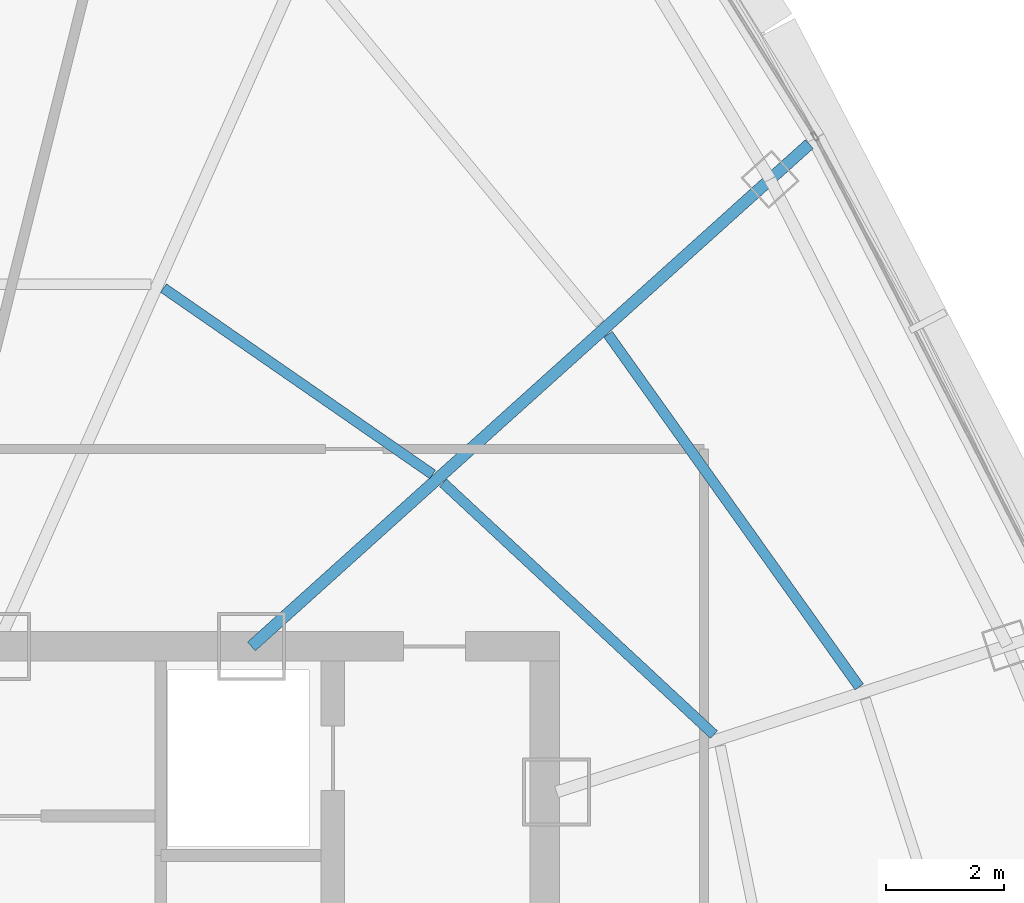
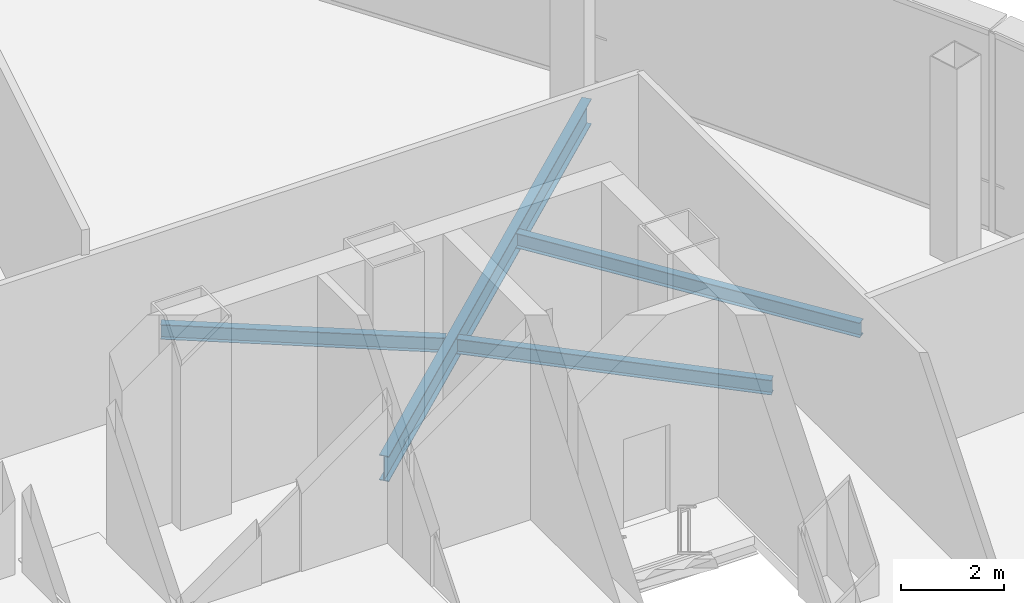
# One storey, part 15 of 29: 4 beams.
"""IFC4 building model written with IfcOpenShell, lengths in metres."""

import ifcopenshell
import ifcopenshell.guid

model = None  # the IFC model being written
_history = None  # IfcOwnerHistory: only IFC2X3 demands one
_inside = {}  # id of a spatial element -> (the spatial element, [elements in it])
_under = {}  # id of a project, library or spatial element -> (it, [spatial elements below it])
_declared = {}  # id of a project -> (the project, [libraries it declares])
_typed = {}  # id of a type object -> (the type object, [elements of that type])
_made_of = {}  # id of a material, layer set ... -> (it, [elements and type objects made of it])


def new_model(schema):
    """Start an empty IFC model of exactly this schema.

    Asked for "IFC4X3", IfcOpenShell would pick the latest addendum, in which some entities
    have other attributes; the version numbers below select the first issue.
    IFC2X3 requires an IfcOwnerHistory on every rooted entity: one is made here for all.
    """
    global model, _history
    if schema == "IFC4X3":
        model = ifcopenshell.file(schema_version=(4, 3, 0, 0))
    else:
        model = ifcopenshell.file(schema=schema)
    _inside.clear()
    _under.clear()
    _declared.clear()
    _typed.clear()
    _made_of.clear()
    _history = None
    if model.schema == "IFC2X3":
        org = make("IfcOrganization", Name="unknown")
        user = make(
            "IfcPersonAndOrganization",
            ThePerson=make("IfcPerson", FamilyName="unknown"),
            TheOrganization=org,
        )
        app = make(
            "IfcApplication",
            ApplicationDeveloper=org,
            Version="unknown",
            ApplicationFullName="unknown",
            ApplicationIdentifier="unknown",
        )
        _history = make(
            "IfcOwnerHistory",
            OwningUser=user,
            OwningApplication=app,
            ChangeAction="ADDED",
            CreationDate=0,
        )
    return model


def make(cls, **values):
    """One entity of the class cls with the attributes given. An attribute that is None is left unset."""
    return model.create_entity(
        cls, **{name: value for name, value in values.items() if value is not None}
    )


def rooted(cls, **values):
    """An entity with a GlobalId (a new one), such as an element, a storey or a relation."""
    return make(cls, GlobalId=ifcopenshell.guid.new(), OwnerHistory=_history, **values)


def si_unit(unit_type, name, prefix=None):
    """IfcSIUnit, for example si_unit("LENGTHUNIT", "METRE", prefix="MILLI")."""
    return make("IfcSIUnit", UnitType=unit_type, Prefix=prefix, Name=name)


def assignment(units):
    """IfcUnitAssignment: the units of a project."""
    return None if units is None else make("IfcUnitAssignment", Units=units)


def point(xyz):
    """IfcCartesianPoint."""
    return None if xyz is None else make("IfcCartesianPoint", Coordinates=xyz)


def direction(xyz):
    """IfcDirection."""
    return None if xyz is None else make("IfcDirection", DirectionRatios=xyz)


def frame(location, z_axis=None, x_axis=None):
    """IfcAxis2Placement3D, a coordinate frame: its origin and axes. An axis left out is left unset."""
    return make(
        "IfcAxis2Placement3D",
        Location=point(location),
        Axis=direction(z_axis),
        RefDirection=direction(x_axis),
    )


def frame_2d(location, x_axis=None):
    """IfcAxis2Placement2D, a coordinate frame in the plane: its origin and x axis."""
    return make(
        "IfcAxis2Placement2D", Location=point(location), RefDirection=direction(x_axis)
    )


def origin():
    """The frame at (0, 0, 0) with its axes left unset."""
    return frame((0.0, 0.0, 0.0))


def origin_2d():
    """The frame at (0, 0) in the plane with its x axis left unset."""
    return frame_2d((0.0, 0.0))


def place(relative_to, where):
    """IfcLocalPlacement: puts the frame where relative to a parent placement (None: the world)."""
    return make(
        "IfcLocalPlacement", PlacementRelTo=relative_to, RelativePlacement=where
    )


def context(
    kind, dimensions, precision=None, world=None, true_north=None, identifier=None
):
    """IfcGeometricRepresentationContext, for example the 3D "Model" context."""
    return make(
        "IfcGeometricRepresentationContext",
        ContextIdentifier=identifier,
        ContextType=kind,
        CoordinateSpaceDimension=dimensions,
        Precision=precision,
        WorldCoordinateSystem=world,
        TrueNorth=true_north,
    )


def subcontext(parent, identifier, kind, view, scale=None):
    """IfcGeometricRepresentationSubContext, for example "Body" below "Model"."""
    return make(
        "IfcGeometricRepresentationSubContext",
        ContextIdentifier=identifier,
        ContextType=kind,
        ParentContext=parent,
        TargetScale=scale,
        TargetView=view,
    )


def project(units=None, contexts=None):
    """IfcProject with its units and contexts."""
    return rooted(
        "IfcProject",
        Name="project",
        RepresentationContexts=contexts,
        UnitsInContext=assignment(units),
    )


def spatial(cls, under=None, at=None, **own):
    """A site, building, storey or space (cls), placed at a placement, below another one or the project."""
    s = rooted(cls, ObjectPlacement=at, **own)
    if under is not None:
        _under.setdefault(under.id(), (under, []))[1].append(s)
    return s


def profile(cls, at=None, kind="AREA", **sizes):
    """A parametric profile (cls). Its sizes go by their IFC names, for example OverallWidth=200.0."""
    return make(cls, ProfileType=kind, Position=at, **sizes)


def i_section(**sizes):
    """IfcIShapeProfileDef."""
    return profile("IfcIShapeProfileDef", **sizes)


def extrude(swept, where, along, depth):
    """IfcExtrudedAreaSolid: the profile swept, set in the frame where, extruded along a direction by depth."""
    return make(
        "IfcExtrudedAreaSolid",
        SweptArea=swept,
        Position=where,
        ExtrudedDirection=direction(along),
        Depth=depth,
    )


def shape(context_of_items, identifier, shape_type, items):
    """IfcShapeRepresentation: the items that make up one representation, for example the "Body"."""
    return make(
        "IfcShapeRepresentation",
        ContextOfItems=context_of_items,
        RepresentationIdentifier=identifier,
        RepresentationType=shape_type,
        Items=items,
    )


def source(mapping_origin, context_of_items, identifier, shape_type, items):
    """IfcRepresentationMap: a shape defined once, which mapped items show again and again."""
    return make(
        "IfcRepresentationMap",
        MappingOrigin=mapping_origin,
        MappedRepresentation=shape(context_of_items, identifier, shape_type, items),
    )


def transform(
    local_origin,
    x_axis=None,
    y_axis=None,
    z_axis=None,
    scale=None,
    scale2=None,
    scale3=None,
    uniform=True,
):
    """IfcCartesianTransformationOperator3D, or its non-uniform kind. x_axis, y_axis, z_axis: its Axis1, 2, 3."""
    if uniform:
        return make(
            "IfcCartesianTransformationOperator3D",
            Axis1=direction(x_axis),
            Axis2=direction(y_axis),
            LocalOrigin=point(local_origin),
            Scale=scale,
            Axis3=direction(z_axis),
        )
    return make(
        "IfcCartesianTransformationOperator3DnonUniform",
        Axis1=direction(x_axis),
        Axis2=direction(y_axis),
        LocalOrigin=point(local_origin),
        Scale=scale,
        Axis3=direction(z_axis),
        Scale2=scale2,
        Scale3=scale3,
    )


def mapped(mapping_source, mapping_target):
    """IfcMappedItem: shows the shape of a source again, moved by a transform."""
    return make(
        "IfcMappedItem", MappingSource=mapping_source, MappingTarget=mapping_target
    )


def material(Name=None, Category=None):
    """IfcMaterial."""
    return make("IfcMaterial", Name=Name, Category=Category)


def material_profile(
    of_material, cross_section, Name=None, Category=None, Priority=None
):
    """IfcMaterialProfile: a cross section and its material."""
    return make(
        "IfcMaterialProfile",
        Name=Name,
        Material=of_material,
        Profile=cross_section,
        Priority=Priority,
        Category=Category,
    )


def profile_set(profiles, Name=None, composite=None):
    """IfcMaterialProfileSet."""
    return make(
        "IfcMaterialProfileSet",
        Name=Name,
        MaterialProfiles=profiles,
        CompositeProfile=composite,
    )


def made_of(thing, what):
    """Note that an element or type object is made of a material, layer set ...; save() writes the relation."""
    if what is not None:
        _made_of.setdefault(what.id(), (what, []))[1].append(thing)
    return thing


def type_object(cls, material=None, **own):
    """A type object (cls), such as IfcWallType, which elements share."""
    return made_of(rooted(cls, **own), material)


def element(
    cls,
    number,
    at=None,
    inside=None,
    cuts=None,
    type_object=None,
    material=None,
    context=None,
    identifier="Body",
    shape_type=None,
    held_by="IfcProductDefinitionShape",
    body=None,
    shapes=None,
    **own,
):
    """One element of the class cls, such as IfcWall. Its Tag is "e" and its number.

    at: its placement. inside: the storey or other place that contains it. cuts: it is an
    opening in that element (IfcRelVoidsElement). A single representation is given by context,
    identifier, shape_type and body (its items); several are given by shapes. held_by: the class
    of the entity that holds the representations. save() writes the other relations.
    """
    e = rooted(cls, Tag="e%d" % number, ObjectPlacement=at, **own)
    if body is not None:
        shapes = [shape(context, identifier, shape_type, body)]
    if shapes is not None:
        e.Representation = make(held_by, Representations=shapes)
    if inside is not None:
        _inside.setdefault(inside.id(), (inside, []))[1].append(e)
    if cuts is not None:
        rooted(
            "IfcRelVoidsElement", RelatingBuildingElement=cuts, RelatedOpeningElement=e
        )
    if type_object is not None:
        _typed.setdefault(type_object.id(), (type_object, []))[1].append(e)
    return made_of(e, material)


def aggregate(whole, parts):
    """IfcRelAggregates: a whole, such as a stair, and the parts it consists of."""
    return rooted("IfcRelAggregates", RelatingObject=whole, RelatedObjects=parts)


def save(model, path):
    """Write the relations noted so far, then the file.

    IfcRelAggregates (storeys below a building ...), IfcRelContainedInSpatialStructure (elements
    in a storey), IfcRelDefinesByType, IfcRelAssociatesMaterial and IfcRelDeclares: one each for
    every whole, place, type object, material and project.
    """
    for whole, parts in _under.values():
        aggregate(whole, parts)
    for where, things in _inside.values():
        rooted(
            "IfcRelContainedInSpatialStructure",
            RelatedElements=things,
            RelatingStructure=where,
        )
    for kind, things in _typed.values():
        rooted("IfcRelDefinesByType", RelatedObjects=things, RelatingType=kind)
    for what, things in _made_of.values():
        rooted("IfcRelAssociatesMaterial", RelatedObjects=things, RelatingMaterial=what)
    for by, libraries in _declared.values():
        rooted("IfcRelDeclares", RelatingContext=by, RelatedDefinitions=libraries)
    model.write(path)


model = new_model("IFC4")

# Units and contexts
model_context = context("Model", 3, precision=1e-05, world=origin(), true_north=direction((0.0, 1.0)))
body_context = subcontext(model_context, "Body", "Model", "MODEL_VIEW")
ifc_project = project(units=[si_unit("LENGTHUNIT", "METRE"), si_unit("AREAUNIT", "SQUARE_METRE"), si_unit("VOLUMEUNIT", "CUBIC_METRE"), si_unit("PLANEANGLEUNIT", "RADIAN"), si_unit("MASSUNIT", "GRAM", prefix="KILO"), si_unit("THERMODYNAMICTEMPERATUREUNIT", "KELVIN"), si_unit("POWERUNIT", "WATT")], contexts=[model_context])

# Site, building, storey
site_placement = place(None, origin())
site = spatial("IfcSite", under=ifc_project, at=site_placement, CompositionType="ELEMENT")
building_placement = place(site_placement, origin())
building = spatial("IfcBuilding", under=site, at=building_placement, Name="Yunzhuo Pagoda Commons", CompositionType="ELEMENT")
storey_placement = place(building_placement, frame((0.0, 0.0, 366.760009765625)))
storey = spatial("IfcBuildingStorey", under=building, at=storey_placement, Name="L92", CompositionType="ELEMENT", Elevation=366.760009765625)

# Beams
ifc_material = material(Name="Structural steel Q355B", Category="steel")
ifc_material_profile_1 = material_profile(ifc_material, i_section(OverallWidth=0.175048828125, OverallDepth=0.35009765625, WebThickness=0.007080078125, FlangeThickness=0.010986328125, at=origin_2d()), Name="Structural steel Q355B")
ifc_profile_set_1 = profile_set([ifc_material_profile_1], Name="Structural steel Q355B")
beam_type_1 = type_object("IfcBeamType", Name="B-JS2 Joist HN 350x175x7x11", PredefinedType="JOIST", material=ifc_profile_set_1)
shared_shape_1 = source(origin(), body_context, "Body", "SweptSolid", [
    extrude(i_section(OverallWidth=0.175048828125, OverallDepth=0.35009765625, WebThickness=0.007080078125, FlangeThickness=0.010986328125, at=origin_2d()), origin(), (0.0, 0.0, 1.0), 6.277099609375),
])
beam_1_placement = place(storey_placement, frame((63.071044921875, 38.702392578125, -0.455078125), z_axis=(-0.73244154109, 0.68082992655, 0.0), x_axis=(-0.68082992655, -0.73244154109, 0.0)))
element("IfcBeam", 1, at=beam_1_placement, inside=storey, type_object=beam_type_1, Name="L92 composite ring joist 1.6", PredefinedType="JOIST", context=body_context, shape_type="MappedRepresentation", body=[
    mapped(shared_shape_1, transform((0.0, 0.0, 0.0), scale=1.0)),
])
shared_shape_2 = source(origin(), body_context, "Body", "SweptSolid", [
    extrude(i_section(OverallWidth=0.175048828125, OverallDepth=0.35009765625, WebThickness=0.007080078125, FlangeThickness=0.010986328125, at=origin_2d()), origin(), (0.0, 0.0, 1.0), 7.347900390625),
])
beam_2_placement = place(storey_placement, frame((65.53759765625, 39.513671875, -0.455078125), z_axis=(-0.580294898948, 0.814406428177, 0.0), x_axis=(-0.814406428177, -0.580294898948, 0.0)))
element("IfcBeam", 2, at=beam_2_placement, inside=storey, type_object=beam_type_1, Name="L92 composite ring joist 2.6", PredefinedType="JOIST", context=body_context, shape_type="MappedRepresentation", body=[
    mapped(shared_shape_2, transform((0.0, 0.0, 0.0), scale=1.0)),
])
shared_shape_3 = source(origin(), body_context, "Body", "SweptSolid", [
    extrude(i_section(OverallWidth=0.175048828125, OverallDepth=0.35009765625, WebThickness=0.007080078125, FlangeThickness=0.010986328125, at=origin_2d()), origin(), (0.0, 0.0, 1.0), 5.556640625),
])
beam_3_placement = place(storey_placement, frame((58.29443359375, 43.119873046875, -0.455078125), z_axis=(-0.822084621883, 0.569365326011, 0.0), x_axis=(-0.569365326011, -0.822084621883, 0.0)))
element("IfcBeam", 3, at=beam_3_placement, inside=storey, type_object=beam_type_1, Name="L92 composite ring joist 1.7", PredefinedType="JOIST", context=body_context, shape_type="MappedRepresentation", body=[
    mapped(shared_shape_3, transform((0.0, 0.0, 0.0), scale=1.0)),
])
ifc_material_profile_2 = material_profile(ifc_material, i_section(OverallWidth=0.199951171875, OverallDepth=0.60009765625, WebThickness=0.010986328125, FlangeThickness=0.01708984375, at=origin_2d()), Name="Structural steel Q355B")
ifc_profile_set_2 = profile_set([ifc_material_profile_2], Name="Structural steel Q355B")
beam_type_2 = type_object("IfcBeamType", Name="B-RG3 Beam HN 600x200x11x17", PredefinedType="BEAM", material=ifc_profile_set_2)
shared_shape_4 = source(origin(), body_context, "Body", "SweptSolid", [
    extrude(i_section(OverallWidth=0.199951171875, OverallDepth=0.60009765625, WebThickness=0.010986328125, FlangeThickness=0.01708984375, at=origin_2d()), origin(), (0.0, 0.0, 1.0), 12.744140625),
])
beam_4_placement = place(storey_placement, frame((64.689697265625, 48.7275390625, -0.580078125), z_axis=(-0.743139811769, -0.669136174605, 0.0), x_axis=(0.669136174605, -0.743139811769, 0.0)))
element("IfcBeam", 4, at=beam_4_placement, inside=storey, type_object=beam_type_2, Name="L92 radial floor girder F2C3", PredefinedType="BEAM", context=body_context, shape_type="MappedRepresentation", body=[
    mapped(shared_shape_4, transform((0.0, 0.0, 0.0), scale=1.0)),
])

save(model, "model.ifc")
